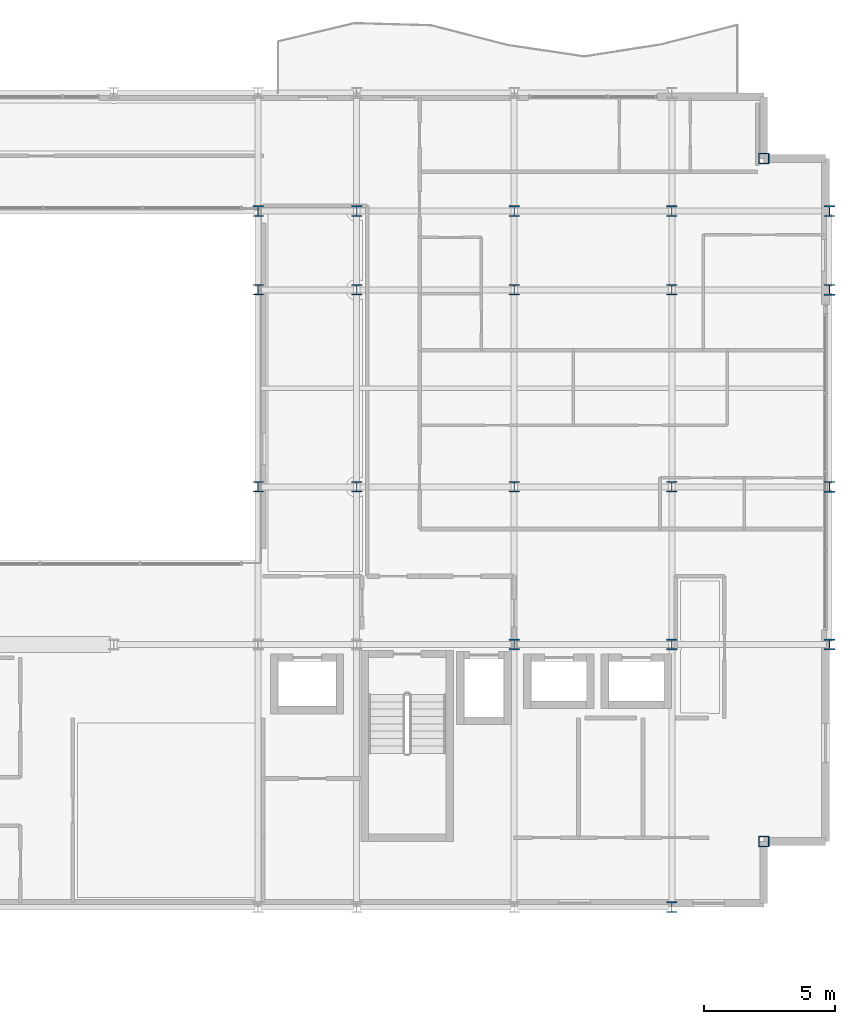
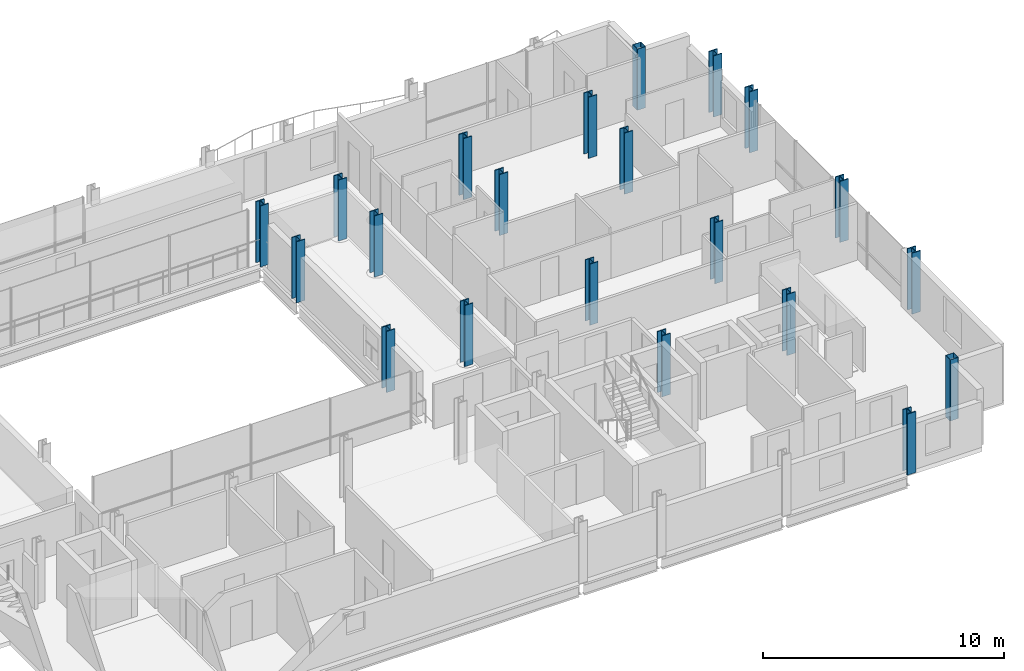
# One storey, part 2 of 41: 21 columns.
"""IFC4 building model written with IfcOpenShell, lengths in metres."""

from ifc_helpers import new_model, si_unit, direction, frame, origin, origin_2d, place, context, subcontext, project, spatial, hollow_rectangle, i_section, extrude, material, material_profile, profile_set, type_object, element, save


model = new_model("IFC4")

# Units and contexts
model_context = context("Model", 3, precision=1e-05, world=origin(), true_north=direction((0.0, 1.0)))
body_context = subcontext(model_context, "Body", "Model", "MODEL_VIEW")
ifc_project = project(units=[si_unit("LENGTHUNIT", "METRE"), si_unit("AREAUNIT", "SQUARE_METRE"), si_unit("VOLUMEUNIT", "CUBIC_METRE"), si_unit("PLANEANGLEUNIT", "RADIAN"), si_unit("MASSUNIT", "GRAM", prefix="KILO")], contexts=[model_context])

# Site, building, storey
site_placement = place(None, origin())
site = spatial("IfcSite", under=ifc_project, at=site_placement, CompositionType="ELEMENT")
building_placement = place(site_placement, origin())
building = spatial("IfcBuilding", under=site, at=building_placement, Name="Brevholm Reach", CompositionType="ELEMENT")
storey_placement = place(building_placement, frame((0.0, 0.0, 144.89990234375)))
storey = spatial("IfcBuildingStorey", under=building, at=storey_placement, Name="L43", CompositionType="ELEMENT", Elevation=144.89990234375)

# Columns
ifc_material_1 = material(Name="Structural Steel S460NH", Category="steel")
ifc_material_profile_1 = material_profile(ifc_material_1, hollow_rectangle(XDim=0.39990234375, YDim=0.39990234375, WallThickness=0.02001953125, InnerFilletRadius=0.011962890625, OuterFilletRadius=0.02392578125, at=origin_2d()), Name="SHS 400x400x20")
ifc_profile_set_1 = profile_set([ifc_material_profile_1], Name="Structural Steel S460NH")
column_type_1 = type_object("IfcColumnType", Name="COL-SHS2", PredefinedType="COLUMN", material=ifc_profile_set_1)
for number, where, z_axis, x_axis, name in (
    (1, (57.5, 2.5, 0.0), (0.0, 0.0, 1.0), (1.0, 0.0, 0.0), "L43 Column 59"),
    (2, (57.5, 28.5, 0.0), (0.0, 0.0, 1.0), (1.0, 0.0, 0.0), "L43 Column 60"),
):
    element("IfcColumn", number, at=place(storey_placement, frame(where, z_axis=z_axis, x_axis=x_axis)), inside=storey, type_object=column_type_1, Name=name, PredefinedType="COLUMN", context=body_context, shape_type="SweptSolid", body=[
        extrude(hollow_rectangle(XDim=0.39990234375, YDim=0.39990234375, WallThickness=0.02001953125, InnerFilletRadius=0.011962890625, OuterFilletRadius=0.02392578125, at=origin_2d()), origin(), (0.0, 0.0, 1.0), 3.10009765625),
    ])
ifc_material_2 = material(Name="Structural Steel S355J2", Category="steel")
ifc_material_profile_2 = material_profile(ifc_material_2, i_section(OverallWidth=0.406982421875, OverallDepth=0.4189453125, WebThickness=0.030517578125, FlangeThickness=0.04931640625, FilletRadius=0.01513671875, at=origin_2d()), Name="UKC 356x406x393")
ifc_profile_set_2 = profile_set([ifc_material_profile_2], Name="Structural Steel S355J2")
column_type_2 = type_object("IfcColumnType", Name="COL-UC4", PredefinedType="COLUMN", material=ifc_profile_set_2)
for number, where, z_axis, x_axis, name in (
    (3, (54.0, 0.0, 0.0), (0.0, 0.0, 1.0), (1.0, 0.0, 0.0), "L43 Column 53"),
    (4, (60.0, 10.0, 0.0), (0.0, 0.0, 1.0), (1.0, 0.0, 0.0), "L43 Column 61"),
    (5, (60.0, 16.0, 0.0), (0.0, 0.0, 1.0), (1.0, 0.0, 0.0), "L43 Column 62"),
    (6, (60.0, 23.5, 0.0), (0.0, 0.0, 1.0), (1.0, 0.0, 0.0), "L43 Column 63"),
    (7, (60.0, 26.5, 0.0), (0.0, 0.0, 1.0), (1.0, 0.0, 0.0), "L43 Column 64"),
):
    element("IfcColumn", number, at=place(storey_placement, frame(where, z_axis=z_axis, x_axis=x_axis)), inside=storey, type_object=column_type_2, Name=name, PredefinedType="COLUMN", context=body_context, shape_type="SweptSolid", body=[
        extrude(i_section(OverallWidth=0.406982421875, OverallDepth=0.4189453125, WebThickness=0.030517578125, FlangeThickness=0.04931640625, FilletRadius=0.01513671875, at=origin_2d()), origin(), (0.0, 0.0, 1.0), 3.10009765625),
    ])
ifc_material_3 = material(Name="Structural Steel S355J2", Category="steel")
ifc_material_profile_3 = material_profile(ifc_material_3, i_section(OverallWidth=0.403076171875, OverallDepth=0.406494140625, WebThickness=0.026611328125, FlangeThickness=0.04296875, FilletRadius=0.01513671875, at=origin_2d()), Name="UKC 356x406x340")
ifc_profile_set_3 = profile_set([ifc_material_profile_3], Name="Structural Steel S355J2")
column_type_3 = type_object("IfcColumnType", Name="COL-UC5", PredefinedType="COLUMN", material=ifc_profile_set_3)
for number, where, z_axis, x_axis, name in (
    (8, (38.25, 16.0, 0.0), (0.0, 0.0, 1.0), (1.0, 0.0, 0.0), "L43 Column 37"),
    (9, (38.25, 23.5, 0.0), (0.0, 0.0, 1.0), (1.0, 0.0, 0.0), "L43 Column 38"),
    (10, (38.25, 26.5, 0.0), (0.0, 0.0, 1.0), (1.0, 0.0, 0.0), "L43 Column 39"),
    (11, (42.0, 16.0, 0.0), (0.0, 0.0, 1.0), (1.0, 0.0, 0.0), "L43 Column 43"),
    (12, (42.0, 23.5, 0.0), (0.0, 0.0, 1.0), (1.0, 0.0, 0.0), "L43 Column 44"),
    (13, (42.0, 26.5, 0.0), (0.0, 0.0, 1.0), (1.0, 0.0, 0.0), "L43 Column 45"),
    (14, (48.0, 10.0, 0.0), (0.0, 0.0, 1.0), (1.0, 0.0, 0.0), "L43 Column 48"),
    (15, (48.0, 16.0, 0.0), (0.0, 0.0, 1.0), (1.0, 0.0, 0.0), "L43 Column 49"),
    (16, (48.0, 23.5, 0.0), (0.0, 0.0, 1.0), (1.0, 0.0, 0.0), "L43 Column 50"),
    (17, (48.0, 26.5, 0.0), (0.0, 0.0, 1.0), (1.0, 0.0, 0.0), "L43 Column 51"),
    (18, (54.0, 10.0, 0.0), (0.0, 0.0, 1.0), (1.0, 0.0, 0.0), "L43 Column 54"),
    (19, (54.0, 16.0, 0.0), (0.0, 0.0, 1.0), (1.0, 0.0, 0.0), "L43 Column 55"),
    (20, (54.0, 23.5, 0.0), (0.0, 0.0, 1.0), (1.0, 0.0, 0.0), "L43 Column 56"),
    (21, (54.0, 26.5, 0.0), (0.0, 0.0, 1.0), (1.0, 0.0, 0.0), "L43 Column 57"),
):
    element("IfcColumn", number, at=place(storey_placement, frame(where, z_axis=z_axis, x_axis=x_axis)), inside=storey, type_object=column_type_3, Name=name, PredefinedType="COLUMN", context=body_context, shape_type="SweptSolid", body=[
        extrude(i_section(OverallWidth=0.403076171875, OverallDepth=0.406494140625, WebThickness=0.026611328125, FlangeThickness=0.04296875, FilletRadius=0.01513671875, at=origin_2d()), origin(), (0.0, 0.0, 1.0), 3.10009765625),
    ])

save(model, "model.ifc")
